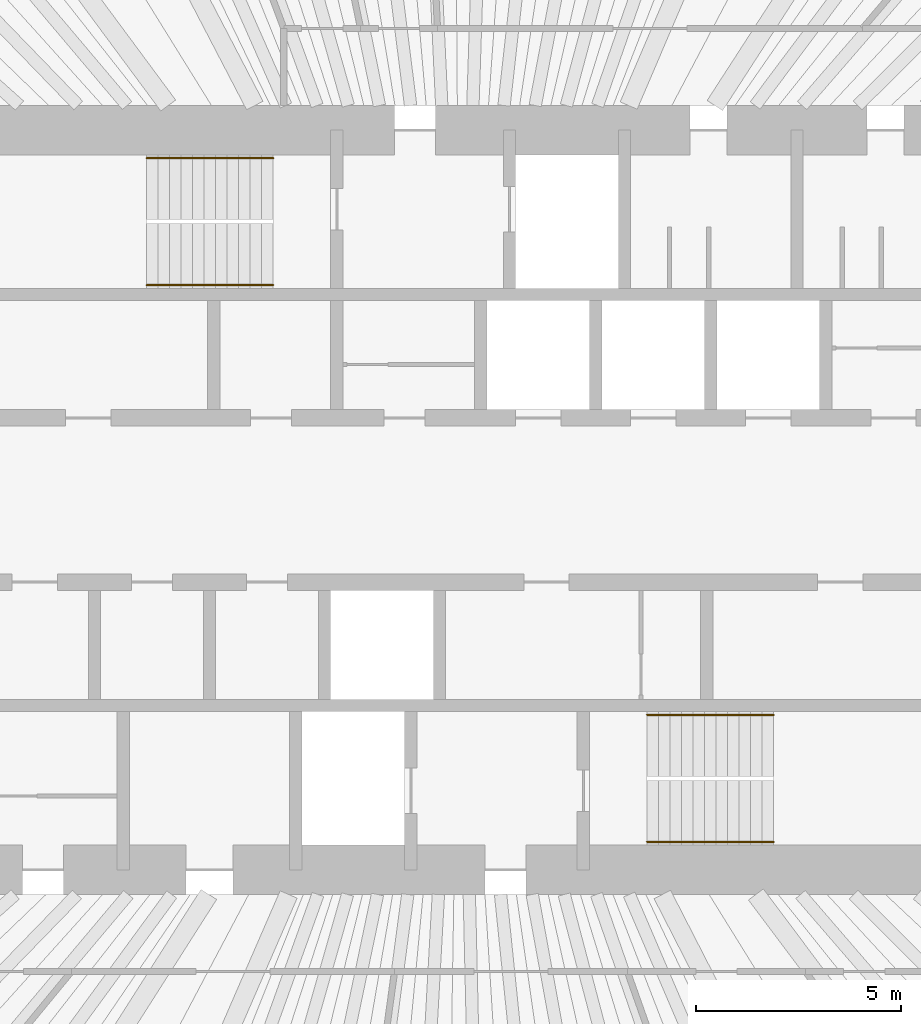
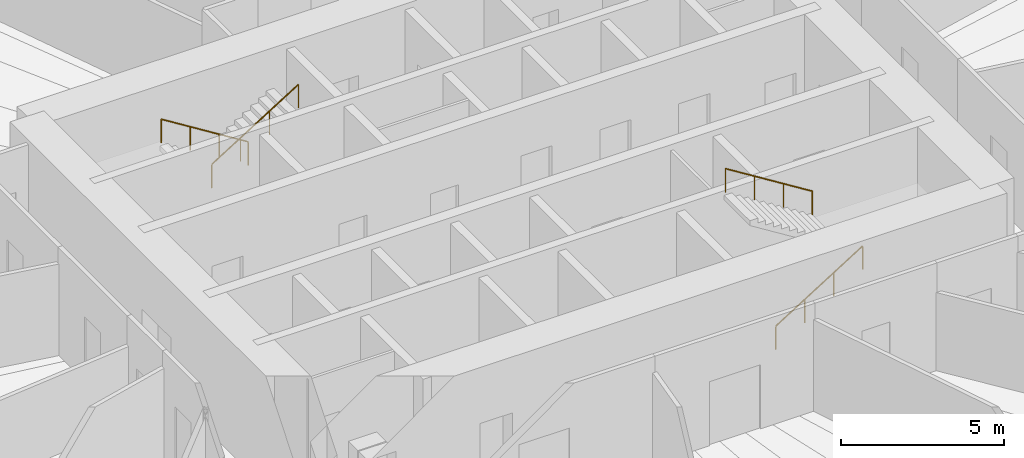
# One storey, part 14 of 14: 4 railings.
"""IFC4 building model written with IfcOpenShell, lengths in metres."""

from ifc_helpers import new_model, si_unit, direction, frame, origin, origin_2d, place, context, subcontext, project, spatial, circle, extrude, material, type_object, element, save


model = new_model("IFC4")

# Units and contexts
model_context = context("Model", 3, precision=1e-05, world=origin(), true_north=direction((0.0, 1.0)))
body_context = subcontext(model_context, "Body", "Model", "MODEL_VIEW")
ifc_project = project(units=[si_unit("LENGTHUNIT", "METRE"), si_unit("AREAUNIT", "SQUARE_METRE"), si_unit("VOLUMEUNIT", "CUBIC_METRE"), si_unit("PLANEANGLEUNIT", "RADIAN"), si_unit("MASSUNIT", "GRAM", prefix="KILO")], contexts=[model_context])

# Site, building, storey
site_placement = place(None, origin())
site = spatial("IfcSite", under=ifc_project, at=site_placement, CompositionType="ELEMENT")
building_placement = place(site_placement, origin())
building = spatial("IfcBuilding", under=site, at=building_placement, Name="Qingtian Harvest Tower", CompositionType="ELEMENT")
storey_placement = place(building_placement, frame((0.0, 0.0, 235.0)))
storey = spatial("IfcBuildingStorey", under=building, at=storey_placement, Name="L51", CompositionType="ELEMENT", Elevation=235.0)

# Railings
ifc_material = material(Name="Stainless steel handrail", Category="steel")
railing_type = type_object("IfcRailingType", Name="Handrail HR1", PredefinedType="HANDRAIL", material=ifc_material)
railing_1_placement = place(storey_placement, frame((-4.550048828125, 8.320068359375, 0.175048828125)))
element("IfcRailing", 1, at=railing_1_placement, inside=storey, type_object=railing_type, Name="Handrail HR1 S1 flight 1", PredefinedType="HANDRAIL", context=body_context, shape_type="SweptSolid", body=[
    extrude(circle(Radius=0.02392578125, at=origin_2d()), frame((0.0, 0.0, 0.8759765625), z_axis=(-0.847979421464, 0.0, 0.530029150871), x_axis=(0.0, -1.0, 0.0)), (0.0, 0.0, 1.0), 3.632080078125),
    extrude(circle(Radius=0.02099609375, at=origin_2d()), origin(), (0.0, 0.0, 1.0), 0.851806640625),
    extrude(circle(Radius=0.02099609375, at=origin_2d()), frame((-1.026611328125, 0.0, 0.6416015625)), (0.0, 0.0, 1.0), 0.851806640625),
    extrude(circle(Radius=0.02099609375, at=origin_2d()), frame((-2.05322265625, 0.0, 1.283447265625)), (0.0, 0.0, 1.0), 0.851806640625),
    extrude(circle(Radius=0.02099609375, at=origin_2d()), frame((-3.079833984375, 0.0, 1.925048828125)), (0.0, 0.0, 1.0), 0.851806640625),
])
for number, where, name in (
    (2, (-7.6298828125, 5.22998046875, 2.27490234375), "Handrail HR1 S1 flight 2"),
    (3, (4.550048828125, -8.320068359375, 0.175048828125), "Handrail HR1 S2 flight 1"),
):
    element("IfcRailing", number, at=place(storey_placement, frame(where)), inside=storey, type_object=railing_type, Name=name, PredefinedType="HANDRAIL", context=body_context, shape_type="SweptSolid", body=[
        extrude(circle(Radius=0.02392578125, at=origin_2d()), frame((0.0, 0.0, 0.8759765625), z_axis=(0.847979421464, 0.0, 0.530029150871), x_axis=(0.0, 1.0, 0.0)), (0.0, 0.0, 1.0), 3.632080078125),
        extrude(circle(Radius=0.02099609375, at=origin_2d()), origin(), (0.0, 0.0, 1.0), 0.851806640625),
        extrude(circle(Radius=0.02099609375, at=origin_2d()), frame((1.026611328125, 0.0, 0.6416015625)), (0.0, 0.0, 1.0), 0.851806640625),
        extrude(circle(Radius=0.02099609375, at=origin_2d()), frame((2.05322265625, 0.0, 1.283447265625)), (0.0, 0.0, 1.0), 0.851806640625),
        extrude(circle(Radius=0.02099609375, at=origin_2d()), frame((3.079833984375, 0.0, 1.925048828125)), (0.0, 0.0, 1.0), 0.851806640625),
    ])
railing_2_placement = place(storey_placement, frame((7.6298828125, -5.22998046875, 2.27490234375)))
element("IfcRailing", 4, at=railing_2_placement, inside=storey, type_object=railing_type, Name="Handrail HR1 S2 flight 2", PredefinedType="HANDRAIL", context=body_context, shape_type="SweptSolid", body=[
    extrude(circle(Radius=0.02392578125, at=origin_2d()), frame((0.0, 0.0, 0.8759765625), z_axis=(-0.847979421464, 0.0, 0.530029150871), x_axis=(0.0, -1.0, 0.0)), (0.0, 0.0, 1.0), 3.632080078125),
    extrude(circle(Radius=0.02099609375, at=origin_2d()), origin(), (0.0, 0.0, 1.0), 0.851806640625),
    extrude(circle(Radius=0.02099609375, at=origin_2d()), frame((-1.026611328125, 0.0, 0.6416015625)), (0.0, 0.0, 1.0), 0.851806640625),
    extrude(circle(Radius=0.02099609375, at=origin_2d()), frame((-2.05322265625, 0.0, 1.283447265625)), (0.0, 0.0, 1.0), 0.851806640625),
    extrude(circle(Radius=0.02099609375, at=origin_2d()), frame((-3.079833984375, 0.0, 1.925048828125)), (0.0, 0.0, 1.0), 0.851806640625),
])

save(model, "model.ifc")
